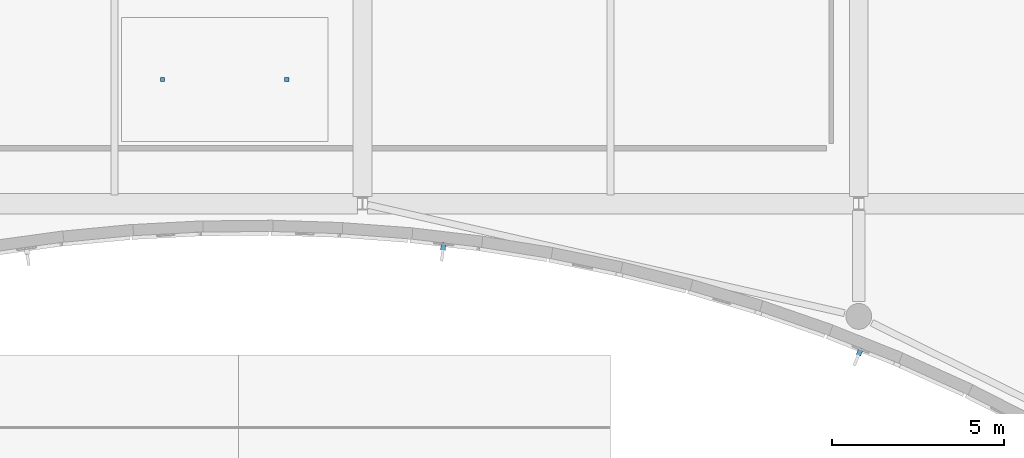
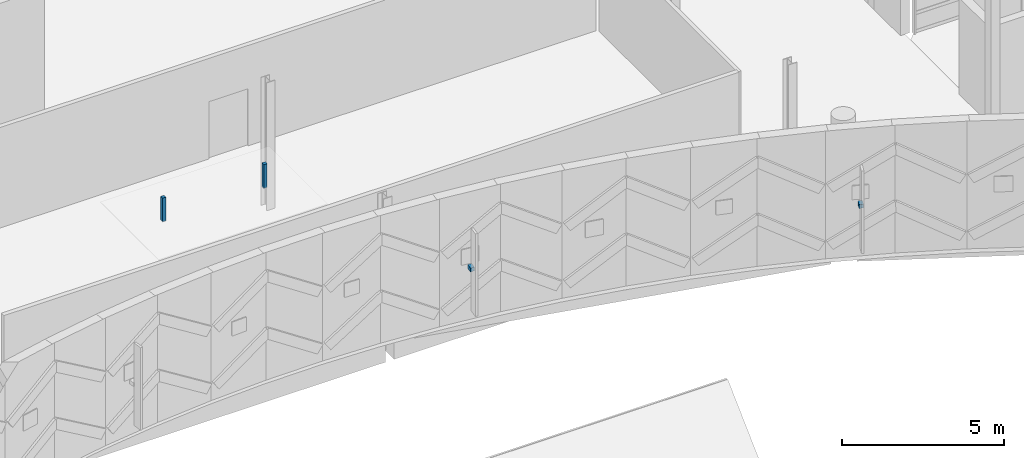
# One storey, part 157 of 193: 4 discrete accessories.
"""IFC4 building model written with IfcOpenShell, lengths in metres."""

from ifc_helpers import new_model, si_unit, direction, frame, origin, origin_2d, place, context, subcontext, project, spatial, rectangle, extrude, material, type_object, element, save


model = new_model("IFC4")

# Units and contexts
model_context = context("Model", 3, precision=1e-05, world=origin(), true_north=direction((0.0, 1.0)))
body_context = subcontext(model_context, "Body", "Model", "MODEL_VIEW")
ifc_project = project(units=[si_unit("LENGTHUNIT", "METRE"), si_unit("AREAUNIT", "SQUARE_METRE"), si_unit("VOLUMEUNIT", "CUBIC_METRE"), si_unit("PLANEANGLEUNIT", "RADIAN"), si_unit("MASSUNIT", "GRAM", prefix="KILO")], contexts=[model_context])

# Site, building, storey
site_placement = place(None, origin())
site = spatial("IfcSite", under=ifc_project, at=site_placement, CompositionType="ELEMENT")
building_placement = place(site_placement, origin())
building = spatial("IfcBuilding", under=site, at=building_placement, Name="Cendralis Lancet Convention Centre", CompositionType="ELEMENT")
storey_placement = place(building_placement, frame((0.0, 0.0, 10.199951171875)))
storey = spatial("IfcBuildingStorey", under=building, at=storey_placement, Name="L02", CompositionType="ELEMENT", Elevation=10.199951171875)

# Discrete accessories
ifc_material = material(Name="Steel S355", Category="steel")
discrete_accessory_type_1 = type_object("IfcDiscreteAccessoryType", Name="ARC-BRK-CLG", PredefinedType="BRACKET", material=ifc_material)
for number, where, z_axis, x_axis, name in (
    (1, (102.199951171875, 18.0, 3.68994140625), (0.0, 0.0, 1.0), (1.0, 0.0, 0.0), "L02 Ceiling Suspension Bracket #10-1"),
    (2, (105.800048828125, 18.0, 3.68994140625), (0.0, 0.0, 1.0), (1.0, 0.0, 0.0), "L02 Ceiling Suspension Bracket #10-2"),
):
    element("IfcDiscreteAccessory", number, at=place(storey_placement, frame(where, z_axis=z_axis, x_axis=x_axis)), inside=storey, type_object=discrete_accessory_type_1, Name=name, PredefinedType="BRACKET", context=body_context, shape_type="SweptSolid", body=[
        extrude(rectangle(XDim=0.1201171875, YDim=0.1201171875, at=origin_2d()), origin(), (0.0, 0.0, 1.0), 0.889892578125),
    ])
discrete_accessory_type_2 = type_object("IfcDiscreteAccessoryType", Name="ARC-BRK-FIN", PredefinedType="BRACKET", material=ifc_material)
for number, where, z_axis, x_axis, name in (
    (3, (110.3447265625, 13.15625, 1.93017578125), (0.0, 0.0, 1.0), (0.99322754702, -0.116185368447, 0.0), "Facade Fin Bracket BK-FIN #020"),
    (4, (122.430419921875, 10.101806640625, 1.93017578125), (0.0, 0.0, 1.0), (0.929268028387, -0.369406187572, 0.0), "Facade Fin Bracket BK-FIN #022"),
):
    element("IfcDiscreteAccessory", number, at=place(storey_placement, frame(where, z_axis=z_axis, x_axis=x_axis)), inside=storey, type_object=discrete_accessory_type_2, Name=name, PredefinedType="BRACKET", context=body_context, shape_type="SweptSolid", body=[
        extrude(rectangle(XDim=0.139892578125, YDim=0.219970703125, at=origin_2d()), origin(), (0.0, 0.0, 1.0), 0.139892578125),
    ])

save(model, "model.ifc")
